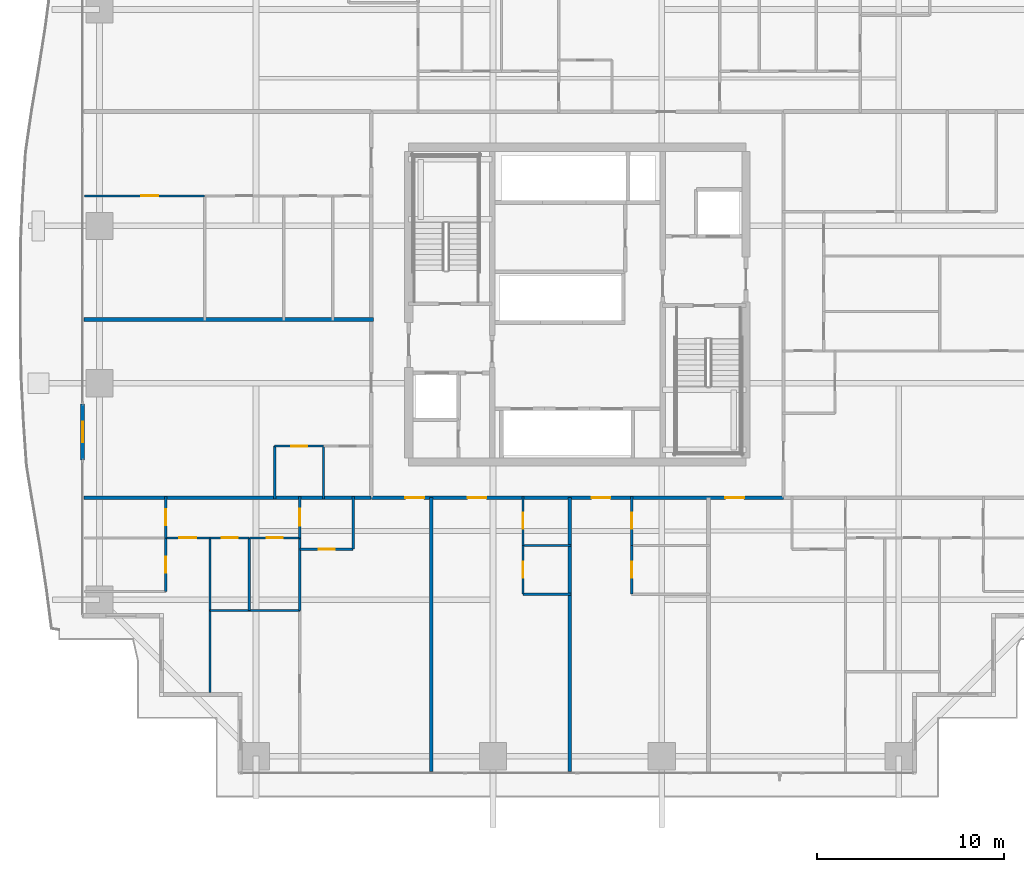
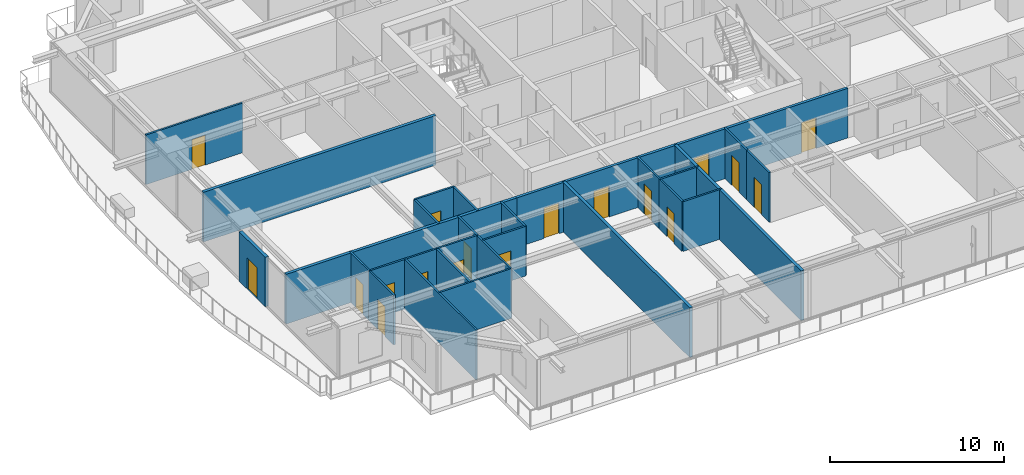
# One storey, part 23 of 36: 28 walls, 18 doors, 18 openings.
"""IFC4 building model written with IfcOpenShell, lengths in metres."""

from ifc_helpers import new_model, si_unit, direction, frame, frame_2d, origin, place, context, subcontext, project, spatial, rectangle, extrude, source, transform, mapped, material, layer, layer_set, type_object, element, fill, save


model = new_model("IFC4")

# Units and contexts
model_context = context("Model", 3, precision=1e-05, world=origin(), true_north=direction((0.0, 1.0)))
body_context = subcontext(model_context, "Body", "Model", "MODEL_VIEW")
ifc_project = project(units=[si_unit("LENGTHUNIT", "METRE"), si_unit("AREAUNIT", "SQUARE_METRE"), si_unit("VOLUMEUNIT", "CUBIC_METRE"), si_unit("PLANEANGLEUNIT", "RADIAN"), si_unit("MASSUNIT", "GRAM", prefix="KILO")], contexts=[model_context])

# Site, building, storey
site_placement = place(None, origin())
site = spatial("IfcSite", under=ifc_project, at=site_placement, CompositionType="ELEMENT")
building_placement = place(site_placement, origin())
building = spatial("IfcBuilding", under=site, at=building_placement, Name="Serunith Strait Residences", CompositionType="ELEMENT")
storey_placement = place(building_placement, frame((0.0, 0.0, 86.699951171875)))
storey = spatial("IfcBuildingStorey", under=building, at=storey_placement, Name="L21", CompositionType="ELEMENT", Elevation=86.699951171875)

# Wall, opening, door
ifc_material_1 = material(Name="Pale-Champagne Aluminium Insulated Panel", Category="aluminium")
ifc_layer_1 = layer(ifc_material_1, 0.219970703125, Name="Pale-Champagne Aluminium Insulated Panel")
ifc_layer_set_1 = layer_set([ifc_layer_1], Name="Pale-Champagne Aluminium Insulated Panel")
wall_type_1 = type_object("IfcWallType", Name="EW-ALUM-220", PredefinedType="ELEMENTEDWALL", material=ifc_layer_set_1)
wall_1_placement = place(storey_placement, frame((6.0, 19.89990234375, 0.0), z_axis=(0.0, 0.0, 1.0), x_axis=(0.0, -1.0, 0.0)))
wall_1 = element("IfcWall", 1, at=wall_1_placement, inside=storey, type_object=wall_type_1, Name="L21 W Facade Pier Wall", PredefinedType="ELEMENTEDWALL", context=body_context, shape_type="SweptSolid", body=[
    extrude(rectangle(XDim=3.0, YDim=0.219970703125, at=frame_2d((1.5, 0.0))), origin(), (0.0, 0.0, 1.0), 3.47509765625),
])
opening_1_placement = place(wall_1_placement, frame((0.949951171875, 0.0, 0.0)))
opening_1 = element("IfcOpeningElement", 2, at=opening_1_placement, cuts=wall_1, Name="Opening ED-03", PredefinedType="OPENING", context=body_context, shape_type="SweptSolid", body=[
    extrude(rectangle(XDim=1.10009765625, YDim=2.199951171875, at=frame_2d((0.550048828125, 1.10009765625))), frame((0.0, 0.1201171875, 0.0), z_axis=(0.0, -1.0, 0.0), x_axis=(1.0, 0.0, 0.0)), (0.0, 0.0, 1.0), 0.239990234375),
])
ifc_material_2 = material(Name="Thermally-Broken Aluminium Glazed Balcony Door", Category="aluminium")
door_type_1 = type_object("IfcDoorType", Name="ED-BALC-1100", OperationType="NOTDEFINED", PredefinedType="DOOR", material=ifc_material_2)
shared_shape_1 = source(origin(), body_context, "Body", "SweptSolid", [
    extrude(rectangle(XDim=1.10009765625, YDim=2.199951171875, at=frame_2d((0.550048828125, 1.10009765625))), frame((0.0, 0.02490234375, 0.0), z_axis=(0.0, -1.0, 0.0), x_axis=(1.0, 0.0, 0.0)), (0.0, 0.0, 1.0), 0.050048828125),
])
door_1_placement = place(opening_1_placement, origin())
door_1 = element("IfcDoor", 3, at=door_1_placement, inside=storey, type_object=door_type_1, Name="L21 W Vertical-Forest Balcony Door", OperationType="SINGLE_SWING_LEFT", OverallHeight=2.199951171875, OverallWidth=1.10009765625, PredefinedType="DOOR", context=body_context, shape_type="MappedRepresentation", body=[
    mapped(shared_shape_1, transform((0.0, 0.0, 0.0), scale=1.0)),
])
fill(opening_1, door_1)

# Wall, openings, doors
ifc_material_3 = material(Name="Fire-rated acoustic gypsum partition")
ifc_layer_2 = layer(ifc_material_3, 0.179931640625, Name="Fire-rated acoustic gypsum partition")
ifc_layer_set_2 = layer_set([ifc_layer_2], Name="Fire-rated acoustic gypsum partition")
wall_type_2 = type_object("IfcWallType", Name="IW-CORR-180", PredefinedType="PARTITIONING", material=ifc_layer_set_2)
wall_2_placement = place(storey_placement, frame((21.402099609375, 14.89990234375, 0.0), z_axis=(0.0, 0.0, 1.0), x_axis=(1.0, 0.0, 0.0)))
wall_2 = element("IfcWall", 4, at=wall_2_placement, inside=storey, type_object=wall_type_2, Name="L21 Partition Wall 022", PredefinedType="PARTITIONING", context=body_context, shape_type="SweptSolid", body=[
    extrude(rectangle(XDim=21.995849609375, YDim=0.179931640625, at=frame_2d((10.998046875, 0.0))), origin(), (0.0, 0.0, 1.0), 3.489990234375),
])
opening_2_placement = place(wall_2_placement, frame((1.820068359375, 0.0, 0.0)))
opening_2 = element("IfcOpeningElement", 5, at=opening_2_placement, cuts=wall_2, Name="Opening D-APT1000", PredefinedType="OPENING", context=body_context, shape_type="SweptSolid", body=[
    extrude(rectangle(XDim=1.0, YDim=2.14990234375, at=frame_2d((0.5, 1.074951171875))), frame((0.0, 0.10009765625, 0.0), z_axis=(0.0, -1.0, 0.0), x_axis=(1.0, 0.0, 0.0)), (0.0, 0.0, 1.0), 0.199951171875),
])
opening_3_placement = place(wall_2_placement, frame((5.14404296875, 0.0, 0.0)))
opening_3 = element("IfcOpeningElement", 6, at=opening_3_placement, cuts=wall_2, Name="Opening D-APT1000", PredefinedType="OPENING", context=body_context, shape_type="SweptSolid", body=[
    extrude(rectangle(XDim=1.0, YDim=2.14990234375, at=frame_2d((0.5, 1.074951171875))), frame((0.0, 0.10009765625, 0.0), z_axis=(0.0, -1.0, 0.0), x_axis=(1.0, 0.0, 0.0)), (0.0, 0.0, 1.0), 0.199951171875),
])
opening_4_placement = place(wall_2_placement, frame((11.758056640625, 0.0, 0.0)))
opening_4 = element("IfcOpeningElement", 7, at=opening_4_placement, cuts=wall_2, Name="Opening D-APT1000", PredefinedType="OPENING", context=body_context, shape_type="SweptSolid", body=[
    extrude(rectangle(XDim=1.0, YDim=2.14990234375, at=frame_2d((0.5, 1.074951171875))), frame((0.0, 0.10009765625, 0.0), z_axis=(0.0, -1.0, 0.0), x_axis=(1.0, 0.0, 0.0)), (0.0, 0.0, 1.0), 0.199951171875),
])
opening_5_placement = place(wall_2_placement, frame((18.89599609375, 0.0, 0.0)))
opening_5 = element("IfcOpeningElement", 8, at=opening_5_placement, cuts=wall_2, Name="Opening D-APT1000", PredefinedType="OPENING", context=body_context, shape_type="SweptSolid", body=[
    extrude(rectangle(XDim=1.0, YDim=2.14990234375, at=frame_2d((0.5, 1.074951171875))), frame((0.0, 0.10009765625, 0.0), z_axis=(0.0, -1.0, 0.0), x_axis=(1.0, 0.0, 0.0)), (0.0, 0.0, 1.0), 0.199951171875),
])
ifc_material_4 = material(Name="Solid timber engineered fire door", Category="wood")
door_type_2 = type_object("IfcDoorType", Name="ID-APT-1000", OperationType="NOTDEFINED", PredefinedType="DOOR", material=ifc_material_4)
shared_shape_2 = source(origin(), body_context, "Body", "SweptSolid", [
    extrude(rectangle(XDim=1.0, YDim=2.14990234375, at=frame_2d((0.5, 1.074951171875))), frame((0.0, 0.02490234375, 0.0), z_axis=(0.0, -1.0, 0.0), x_axis=(1.0, 0.0, 0.0)), (0.0, 0.0, 1.0), 0.050048828125),
])
door_2_placement = place(opening_2_placement, origin())
door_2 = element("IfcDoor", 9, at=door_2_placement, inside=storey, type_object=door_type_2, Name="L21 Unit 01 Entrance Door", OperationType="SINGLE_SWING_LEFT", OverallHeight=2.14990234375, OverallWidth=1.0, PredefinedType="DOOR", context=body_context, shape_type="MappedRepresentation", body=[
    mapped(shared_shape_2, transform((0.0, 0.0, 0.0), scale=1.0)),
])
fill(opening_2, door_2)
door_3_placement = place(opening_3_placement, origin())
door_3 = element("IfcDoor", 10, at=door_3_placement, inside=storey, type_object=door_type_2, Name="L21 Unit 02 Entrance Door", OperationType="SINGLE_SWING_RIGHT", OverallHeight=2.14990234375, OverallWidth=1.0, PredefinedType="DOOR", context=body_context, shape_type="MappedRepresentation", body=[
    mapped(shared_shape_2, transform((0.0, 0.0, 0.0), scale=1.0)),
])
fill(opening_3, door_3)
door_4_placement = place(opening_4_placement, origin())
door_4 = element("IfcDoor", 11, at=door_4_placement, inside=storey, type_object=door_type_2, Name="L21 Unit 03 Entrance Door", OperationType="SINGLE_SWING_LEFT", OverallHeight=2.14990234375, OverallWidth=1.0, PredefinedType="DOOR", context=body_context, shape_type="MappedRepresentation", body=[
    mapped(shared_shape_2, transform((0.0, 0.0, 0.0), scale=1.0)),
])
fill(opening_4, door_4)
door_5_placement = place(opening_5_placement, origin())
door_5 = element("IfcDoor", 12, at=door_5_placement, inside=storey, type_object=door_type_2, Name="L21 Unit 04 Entrance Door", OperationType="SINGLE_SWING_RIGHT", OverallHeight=2.14990234375, OverallWidth=1.0, PredefinedType="DOOR", context=body_context, shape_type="MappedRepresentation", body=[
    mapped(shared_shape_2, transform((0.0, 0.0, 0.0), scale=1.0)),
])
fill(opening_5, door_5)

# Wall, opening, door
ifc_material_5 = material(Name="Lightweight steel-stud gypsum partition", Category="steel")
ifc_layer_3 = layer(ifc_material_5, 0.1201171875, Name="Lightweight steel-stud gypsum partition")
ifc_layer_set_3 = layer_set([ifc_layer_3], Name="Lightweight steel-stud gypsum partition")
wall_type_3 = type_object("IfcWallType", Name="IW-PART-120", PredefinedType="PARTITIONING", material=ifc_layer_set_3)
wall_3_placement = place(storey_placement, frame((17.590087890625, 12.14990234375, 0.0), z_axis=(0.0, 0.0, 1.0), x_axis=(1.0, 0.0, 0.0)))
wall_3 = element("IfcWall", 13, at=wall_3_placement, inside=storey, type_object=wall_type_3, Name="L21 Partition Wall 026", PredefinedType="PARTITIONING", context=body_context, shape_type="SweptSolid", body=[
    extrude(rectangle(XDim=2.849853515625, YDim=0.1201171875, at=frame_2d((1.4248046875, 0.0))), origin(), (0.0, 0.0, 1.0), 3.489990234375),
])
opening_6_placement = place(wall_3_placement, frame((1.0, 0.0, 0.0)))
opening_6 = element("IfcOpeningElement", 14, at=opening_6_placement, cuts=wall_3, Name="Opening D-RM850", PredefinedType="OPENING", context=body_context, shape_type="SweptSolid", body=[
    extrude(rectangle(XDim=0.85009765625, YDim=2.10009765625, at=frame_2d((0.425048828125, 1.050048828125))), frame((0.0, 0.070068359375, 0.0), z_axis=(0.0, -1.0, 0.0), x_axis=(1.0, 0.0, 0.0)), (0.0, 0.0, 1.0), 0.14013671875),
])
ifc_material_6 = material(Name="Engineered timber flush study and kitchen door", Category="wood")
door_type_3 = type_object("IfcDoorType", Name="ID-ROOM-850", OperationType="NOTDEFINED", PredefinedType="DOOR", material=ifc_material_6)
shared_shape_3 = source(origin(), body_context, "Body", "SweptSolid", [
    extrude(rectangle(XDim=0.85009765625, YDim=2.10009765625, at=frame_2d((0.425048828125, 1.050048828125))), frame((0.0, 0.02490234375, 0.0), z_axis=(0.0, -1.0, 0.0), x_axis=(1.0, 0.0, 0.0)), (0.0, 0.0, 1.0), 0.050048828125),
])
door_6_placement = place(opening_6_placement, origin())
door_6 = element("IfcDoor", 15, at=door_6_placement, inside=storey, type_object=door_type_3, Name="L21 Kitchen 2101 Door", OperationType="SINGLE_SWING_LEFT", OverallHeight=2.10009765625, OverallWidth=0.85009765625, PredefinedType="DOOR", context=body_context, shape_type="MappedRepresentation", body=[
    mapped(shared_shape_3, transform((0.0, 0.0, 0.0), scale=1.0)),
])
fill(opening_6, door_6)

# Wall
wall_4_placement = place(storey_placement, frame((20.43994140625, 12.14990234375, 0.0), z_axis=(0.0, 0.0, 1.0), x_axis=(0.0, 1.0, 0.0)))
element("IfcWall", 16, at=wall_4_placement, inside=storey, type_object=wall_type_3, Name="L21 Partition Wall 027", PredefinedType="PARTITIONING", context=body_context, shape_type="SweptSolid", body=[
    extrude(rectangle(XDim=2.81005859375, YDim=0.1201171875, at=frame_2d((1.405029296875, 0.0))), origin(), (0.0, 0.0, 1.0), 3.489990234375),
])

# Wall, opening, door
wall_5_placement = place(storey_placement, frame((17.590087890625, 12.75, 0.0), z_axis=(0.0, 0.0, 1.0), x_axis=(0.0, 1.0, 0.0)))
wall_5 = element("IfcWall", 17, at=wall_5_placement, inside=storey, type_object=wall_type_3, Name="L21 Partition Wall 028", PredefinedType="PARTITIONING", context=body_context, shape_type="SweptSolid", body=[
    extrude(rectangle(XDim=2.2099609375, YDim=0.1201171875, at=frame_2d((1.10498046875, 0.0))), origin(), (0.0, 0.0, 1.0), 3.489990234375),
])
opening_7_placement = place(wall_5_placement, frame((0.655029296875, 0.0, 0.0)))
opening_7 = element("IfcOpeningElement", 18, at=opening_7_placement, cuts=wall_5, Name="Opening D-RM900", PredefinedType="OPENING", context=body_context, shape_type="SweptSolid", body=[
    extrude(rectangle(XDim=0.89990234375, YDim=2.10009765625, at=frame_2d((0.449951171875, 1.050048828125))), frame((0.0, 0.070068359375, 0.0), z_axis=(0.0, -1.0, 0.0), x_axis=(1.0, 0.0, 0.0)), (0.0, 0.0, 1.0), 0.14013671875),
])
ifc_material_7 = material(Name="Engineered timber flush bedroom door", Category="wood")
door_type_4 = type_object("IfcDoorType", Name="ID-ROOM-900", OperationType="NOTDEFINED", PredefinedType="DOOR", material=ifc_material_7)
shared_shape_4 = source(origin(), body_context, "Body", "SweptSolid", [
    extrude(rectangle(XDim=0.89990234375, YDim=2.10009765625, at=frame_2d((0.449951171875, 1.050048828125))), frame((0.0, 0.02490234375, 0.0), z_axis=(0.0, -1.0, 0.0), x_axis=(1.0, 0.0, 0.0)), (0.0, 0.0, 1.0), 0.050048828125),
])
door_7_placement = place(opening_7_placement, origin())
door_7 = element("IfcDoor", 19, at=door_7_placement, inside=storey, type_object=door_type_4, Name="L21 Hall W 2101 Door", OperationType="SINGLE_SWING_RIGHT", OverallHeight=2.10009765625, OverallWidth=0.89990234375, PredefinedType="DOOR", context=body_context, shape_type="MappedRepresentation", body=[
    mapped(shared_shape_4, transform((0.0, 0.0, 0.0), scale=1.0)),
])
fill(opening_7, door_7)

# Walls
wall_6_placement = place(storey_placement, frame((17.590087890625, 8.883056640625, 0.0), z_axis=(0.0, 0.0, 1.0), x_axis=(0.0, 1.0, 0.0)))
element("IfcWall", 20, at=wall_6_placement, inside=storey, type_object=wall_type_3, Name="L21 Partition Wall 030", PredefinedType="PARTITIONING", context=body_context, shape_type="SweptSolid", body=[
    extrude(rectangle(XDim=3.864990234375, YDim=0.1201171875, at=frame_2d((1.9326171875, 0.0))), origin(), (0.0, 0.0, 1.0), 3.489990234375),
])
wall_7_placement = place(storey_placement, frame((12.7900390625, 8.881103515625, 0.0), z_axis=(0.0, 0.0, 1.0), x_axis=(1.0, 0.0, 0.0)))
element("IfcWall", 21, at=wall_7_placement, inside=storey, type_object=wall_type_3, Name="L21 Partition Wall 031", PredefinedType="PARTITIONING", context=body_context, shape_type="SweptSolid", body=[
    extrude(rectangle(XDim=4.800048828125, YDim=0.1201171875, at=frame_2d((2.39990234375, 0.0))), origin(), (0.0, 0.0, 1.0), 3.489990234375),
])
wall_8_placement = place(storey_placement, frame((12.7900390625, 4.4951171875, 0.0), z_axis=(0.0, 0.0, 1.0), x_axis=(0.0, 1.0, 0.0)))
element("IfcWall", 22, at=wall_8_placement, inside=storey, type_object=wall_type_3, Name="L21 Partition Wall 032", PredefinedType="PARTITIONING", context=body_context, shape_type="SweptSolid", body=[
    extrude(rectangle(XDim=8.2548828125, YDim=0.1201171875, at=frame_2d((4.12744140625, 0.0))), origin(), (0.0, 0.0, 1.0), 3.489990234375),
])
wall_9_placement = place(storey_placement, frame((14.889892578125, 8.881103515625, 0.0), z_axis=(0.0, 0.0, 1.0), x_axis=(0.0, 1.0, 0.0)))
element("IfcWall", 23, at=wall_9_placement, inside=storey, type_object=wall_type_3, Name="L21 Partition Wall 033", PredefinedType="PARTITIONING", context=body_context, shape_type="SweptSolid", body=[
    extrude(rectangle(XDim=3.868896484375, YDim=0.1201171875, at=frame_2d((1.9345703125, 0.0))), origin(), (0.0, 0.0, 1.0), 3.489990234375),
])

# Wall, opening, door
wall_10_placement = place(storey_placement, frame((12.7900390625, 12.75, 0.0), z_axis=(0.0, 0.0, 1.0), x_axis=(1.0, 0.0, 0.0)))
wall_10 = element("IfcWall", 24, at=wall_10_placement, inside=storey, type_object=wall_type_3, Name="L21 Partition Wall 034", PredefinedType="PARTITIONING", context=body_context, shape_type="SweptSolid", body=[
    extrude(rectangle(XDim=2.099853515625, YDim=0.1201171875, at=frame_2d((1.0498046875, 0.0))), origin(), (0.0, 0.0, 1.0), 3.489990234375),
])
opening_8_placement = place(wall_10_placement, frame((0.625, 0.0, 0.0)))
opening_8 = element("IfcOpeningElement", 25, at=opening_8_placement, cuts=wall_10, Name="Opening D-BTH850", PredefinedType="OPENING", context=body_context, shape_type="SweptSolid", body=[
    extrude(rectangle(XDim=0.85009765625, YDim=2.10009765625, at=frame_2d((0.425048828125, 1.050048828125))), frame((0.0, 0.070068359375, 0.0), z_axis=(0.0, -1.0, 0.0), x_axis=(1.0, 0.0, 0.0)), (0.0, 0.0, 1.0), 0.14013671875),
])
ifc_material_8 = material(Name="Moisture-resistant timber bathroom door", Category="wood")
door_type_5 = type_object("IfcDoorType", Name="ID-BATH-850", OperationType="NOTDEFINED", PredefinedType="DOOR", material=ifc_material_8)
door_8_placement = place(opening_8_placement, origin())
door_8 = element("IfcDoor", 26, at=door_8_placement, inside=storey, type_object=door_type_5, Name="L21 Bathroom 2101 Door", OperationType="SINGLE_SWING_RIGHT", OverallHeight=2.10009765625, OverallWidth=0.85009765625, PredefinedType="DOOR", context=body_context, shape_type="MappedRepresentation", body=[
    mapped(shared_shape_3, transform((0.0, 0.0, 0.0), scale=1.0)),
])
fill(opening_8, door_8)

wall_11_placement = place(storey_placement, frame((14.89208984375, 12.75, 0.0), z_axis=(0.0, 0.0, 1.0), x_axis=(1.0, 0.0, 0.0)))
wall_11 = element("IfcWall", 27, at=wall_11_placement, inside=storey, type_object=wall_type_3, Name="L21 Partition Wall 035", PredefinedType="PARTITIONING", context=body_context, shape_type="SweptSolid", body=[
    extrude(rectangle(XDim=2.697998046875, YDim=0.1201171875, at=frame_2d((1.34912109375, 0.0))), origin(), (0.0, 0.0, 1.0), 3.489990234375),
])
opening_9_placement = place(wall_11_placement, frame((0.924072265625, 0.0, 0.0)))
opening_9 = element("IfcOpeningElement", 28, at=opening_9_placement, cuts=wall_11, Name="Opening D-RM850", PredefinedType="OPENING", context=body_context, shape_type="SweptSolid", body=[
    extrude(rectangle(XDim=0.85009765625, YDim=2.10009765625, at=frame_2d((0.425048828125, 1.050048828125))), frame((0.0, 0.070068359375, 0.0), z_axis=(0.0, -1.0, 0.0), x_axis=(1.0, 0.0, 0.0)), (0.0, 0.0, 1.0), 0.14013671875),
])
door_9_placement = place(opening_9_placement, origin())
door_9 = element("IfcDoor", 29, at=door_9_placement, inside=storey, type_object=door_type_3, Name="L21 Formal Dining Room 2101 Door", OperationType="SINGLE_SWING_LEFT", OverallHeight=2.10009765625, OverallWidth=0.85009765625, PredefinedType="DOOR", context=body_context, shape_type="MappedRepresentation", body=[
    mapped(shared_shape_3, transform((0.0, 0.0, 0.0), scale=1.0)),
])
fill(opening_9, door_9)

wall_12_placement = place(storey_placement, frame((10.43994140625, 12.75, 0.0), z_axis=(0.0, 0.0, 1.0), x_axis=(1.0, 0.0, 0.0)))
wall_12 = element("IfcWall", 30, at=wall_12_placement, inside=storey, type_object=wall_type_3, Name="L21 Partition Wall 036", PredefinedType="PARTITIONING", context=body_context, shape_type="SweptSolid", body=[
    extrude(rectangle(XDim=2.34814453125, YDim=0.1201171875, at=frame_2d((1.174072265625, 0.0))), origin(), (0.0, 0.0, 1.0), 3.489990234375),
])
opening_10_placement = place(wall_12_placement, frame((0.72412109375, 0.0, 0.0)))
opening_10 = element("IfcOpeningElement", 31, at=opening_10_placement, cuts=wall_12, Name="Opening D-RM900", PredefinedType="OPENING", context=body_context, shape_type="SweptSolid", body=[
    extrude(rectangle(XDim=0.89990234375, YDim=2.10009765625, at=frame_2d((0.449951171875, 1.050048828125))), frame((0.0, 0.070068359375, 0.0), z_axis=(0.0, -1.0, 0.0), x_axis=(1.0, 0.0, 0.0)), (0.0, 0.0, 1.0), 0.14013671875),
])
door_10_placement = place(opening_10_placement, origin())
door_10 = element("IfcDoor", 32, at=door_10_placement, inside=storey, type_object=door_type_4, Name="L21 Master Bedroom W 2101 Door", OperationType="SINGLE_SWING_RIGHT", OverallHeight=2.10009765625, OverallWidth=0.89990234375, PredefinedType="DOOR", context=body_context, shape_type="MappedRepresentation", body=[
    mapped(shared_shape_4, transform((0.0, 0.0, 0.0), scale=1.0)),
])
fill(opening_10, door_10)

wall_13_placement = place(storey_placement, frame((10.43994140625, 9.89404296875, 0.0), z_axis=(0.0, 0.0, 1.0), x_axis=(0.0, 1.0, 0.0)))
wall_13 = element("IfcWall", 33, at=wall_13_placement, inside=storey, type_object=wall_type_3, Name="L21 Partition Wall 039", PredefinedType="PARTITIONING", context=body_context, shape_type="SweptSolid", body=[
    extrude(rectangle(XDim=2.85595703125, YDim=0.1201171875, at=frame_2d((1.427978515625, 0.0))), origin(), (0.0, 0.0, 1.0), 3.489990234375),
])
opening_11_placement = place(wall_13_placement, frame((1.0029296875, 0.0, 0.0)))
opening_11 = element("IfcOpeningElement", 34, at=opening_11_placement, cuts=wall_13, Name="Opening D-BTH850", PredefinedType="OPENING", context=body_context, shape_type="SweptSolid", body=[
    extrude(rectangle(XDim=0.85009765625, YDim=2.10009765625, at=frame_2d((0.425048828125, 1.050048828125))), frame((0.0, 0.070068359375, 0.0), z_axis=(0.0, -1.0, 0.0), x_axis=(1.0, 0.0, 0.0)), (0.0, 0.0, 1.0), 0.14013671875),
])
door_11_placement = place(opening_11_placement, origin())
door_11 = element("IfcDoor", 35, at=door_11_placement, inside=storey, type_object=door_type_5, Name="L21 En-suite Bathroom W 2101 Door", OperationType="SINGLE_SWING_LEFT", OverallHeight=2.10009765625, OverallWidth=0.85009765625, PredefinedType="DOOR", context=body_context, shape_type="MappedRepresentation", body=[
    mapped(shared_shape_3, transform((0.0, 0.0, 0.0), scale=1.0)),
])
fill(opening_11, door_11)

wall_14_placement = place(storey_placement, frame((10.43994140625, 12.751953125, 0.0), z_axis=(0.0, 0.0, 1.0), x_axis=(0.0, 1.0, 0.0)))
wall_14 = element("IfcWall", 36, at=wall_14_placement, inside=storey, type_object=wall_type_3, Name="L21 Partition Wall 040", PredefinedType="PARTITIONING", context=body_context, shape_type="SweptSolid", body=[
    extrude(rectangle(XDim=2.2080078125, YDim=0.1201171875, at=frame_2d((1.10400390625, 0.0))), origin(), (0.0, 0.0, 1.0), 3.489990234375),
])
opening_12_placement = place(wall_14_placement, frame((0.678955078125, 0.0, 0.0)))
opening_12 = element("IfcOpeningElement", 37, at=opening_12_placement, cuts=wall_14, Name="Opening D-RM850", PredefinedType="OPENING", context=body_context, shape_type="SweptSolid", body=[
    extrude(rectangle(XDim=0.85009765625, YDim=2.10009765625, at=frame_2d((0.425048828125, 1.050048828125))), frame((0.0, 0.070068359375, 0.0), z_axis=(0.0, -1.0, 0.0), x_axis=(1.0, 0.0, 0.0)), (0.0, 0.0, 1.0), 0.14013671875),
])
door_12_placement = place(opening_12_placement, origin())
door_12 = element("IfcDoor", 38, at=door_12_placement, inside=storey, type_object=door_type_3, Name="L21 Wardrobe W 2101 Door", OperationType="SINGLE_SWING_RIGHT", OverallHeight=2.10009765625, OverallWidth=0.85009765625, PredefinedType="DOOR", context=body_context, shape_type="MappedRepresentation", body=[
    mapped(shared_shape_3, transform((0.0, 0.0, 0.0), scale=1.0)),
])
fill(opening_12, door_12)

wall_15_placement = place(storey_placement, frame((29.5, 9.75, 0.0), z_axis=(0.0, 0.0, 1.0), x_axis=(0.0, 1.0, 0.0)))
wall_15 = element("IfcWall", 39, at=wall_15_placement, inside=storey, type_object=wall_type_3, Name="L21 Partition Wall 041", PredefinedType="PARTITIONING", context=body_context, shape_type="SweptSolid", body=[
    extrude(rectangle(XDim=2.60009765625, YDim=0.1201171875, at=frame_2d((1.300048828125, 0.0))), origin(), (0.0, 0.0, 1.0), 3.489990234375),
])
opening_13_placement = place(wall_15_placement, frame((0.875, 0.0, 0.0)))
opening_13 = element("IfcOpeningElement", 40, at=opening_13_placement, cuts=wall_15, Name="Opening D-RM850", PredefinedType="OPENING", context=body_context, shape_type="SweptSolid", body=[
    extrude(rectangle(XDim=0.85009765625, YDim=2.10009765625, at=frame_2d((0.425048828125, 1.050048828125))), frame((0.0, 0.070068359375, 0.0), z_axis=(0.0, -1.0, 0.0), x_axis=(1.0, 0.0, 0.0)), (0.0, 0.0, 1.0), 0.14013671875),
])
door_13_placement = place(opening_13_placement, origin())
door_13 = element("IfcDoor", 41, at=door_13_placement, inside=storey, type_object=door_type_3, Name="L21 Kitchen 2102 Door", OperationType="SINGLE_SWING_LEFT", OverallHeight=2.10009765625, OverallWidth=0.85009765625, PredefinedType="DOOR", context=body_context, shape_type="MappedRepresentation", body=[
    mapped(shared_shape_3, transform((0.0, 0.0, 0.0), scale=1.0)),
])
fill(opening_13, door_13)

wall_16_placement = place(storey_placement, frame((29.5, 12.35205078125, 0.0), z_axis=(0.0, 0.0, 1.0), x_axis=(0.0, 1.0, 0.0)))
wall_16 = element("IfcWall", 42, at=wall_16_placement, inside=storey, type_object=wall_type_3, Name="L21 Partition Wall 042", PredefinedType="PARTITIONING", context=body_context, shape_type="SweptSolid", body=[
    extrude(rectangle(XDim=2.60791015625, YDim=0.1201171875, at=frame_2d((1.303955078125, 0.0))), origin(), (0.0, 0.0, 1.0), 3.489990234375),
])
opening_14_placement = place(wall_16_placement, frame((0.87890625, 0.0, 0.0)))
opening_14 = element("IfcOpeningElement", 43, at=opening_14_placement, cuts=wall_16, Name="Opening D-BTH850", PredefinedType="OPENING", context=body_context, shape_type="SweptSolid", body=[
    extrude(rectangle(XDim=0.85009765625, YDim=2.10009765625, at=frame_2d((0.425048828125, 1.050048828125))), frame((0.0, 0.070068359375, 0.0), z_axis=(0.0, -1.0, 0.0), x_axis=(1.0, 0.0, 0.0)), (0.0, 0.0, 1.0), 0.14013671875),
])
door_14_placement = place(opening_14_placement, origin())
door_14 = element("IfcDoor", 44, at=door_14_placement, inside=storey, type_object=door_type_5, Name="L21 Bathroom 2102 Door", OperationType="SINGLE_SWING_RIGHT", OverallHeight=2.10009765625, OverallWidth=0.85009765625, PredefinedType="DOOR", context=body_context, shape_type="MappedRepresentation", body=[
    mapped(shared_shape_3, transform((0.0, 0.0, 0.0), scale=1.0)),
])
fill(opening_14, door_14)

# Walls
for number, where, z_axis, x_axis, name in (
    (45, (29.5, 12.35009765625, 0.0), (0.0, 0.0, 1.0), (1.0, 0.0, 0.0), "L21 Partition Wall 043"),
    (46, (29.5, 9.75, 0.0), (0.0, 0.0, 1.0), (1.0, 0.0, 0.0), "L21 Partition Wall 044"),
):
    element("IfcWall", number, at=place(storey_placement, frame(where, z_axis=z_axis, x_axis=x_axis)), inside=storey, type_object=wall_type_3, Name=name, PredefinedType="PARTITIONING", context=body_context, shape_type="SweptSolid", body=[
        extrude(rectangle(XDim=2.56005859375, YDim=0.1201171875, at=frame_2d((1.280029296875, 0.0))), origin(), (0.0, 0.0, 1.0), 3.489990234375),
    ])

# Wall, opening, door
wall_17_placement = place(storey_placement, frame((35.300048828125, 9.75, 0.0), z_axis=(0.0, 0.0, 1.0), x_axis=(0.0, 1.0, 0.0)))
wall_17 = element("IfcWall", 47, at=wall_17_placement, inside=storey, type_object=wall_type_3, Name="L21 Partition Wall 045", PredefinedType="PARTITIONING", context=body_context, shape_type="SweptSolid", body=[
    extrude(rectangle(XDim=2.60009765625, YDim=0.1201171875, at=frame_2d((1.300048828125, 0.0))), origin(), (0.0, 0.0, 1.0), 3.489990234375),
])
opening_15_placement = place(wall_17_placement, frame((0.875, 0.0, 0.0)))
opening_15 = element("IfcOpeningElement", 48, at=opening_15_placement, cuts=wall_17, Name="Opening D-RM850", PredefinedType="OPENING", context=body_context, shape_type="SweptSolid", body=[
    extrude(rectangle(XDim=0.85009765625, YDim=2.10009765625, at=frame_2d((0.425048828125, 1.050048828125))), frame((0.0, 0.070068359375, 0.0), z_axis=(0.0, -1.0, 0.0), x_axis=(1.0, 0.0, 0.0)), (0.0, 0.0, 1.0), 0.14013671875),
])
door_15_placement = place(opening_15_placement, origin())
door_15 = element("IfcDoor", 49, at=door_15_placement, inside=storey, type_object=door_type_3, Name="L21 Kitchen 2103 Door", OperationType="SINGLE_SWING_LEFT", OverallHeight=2.10009765625, OverallWidth=0.85009765625, PredefinedType="DOOR", context=body_context, shape_type="MappedRepresentation", body=[
    mapped(shared_shape_3, transform((0.0, 0.0, 0.0), scale=1.0)),
])
fill(opening_15, door_15)

wall_18_placement = place(storey_placement, frame((35.300048828125, 12.35205078125, 0.0), z_axis=(0.0, 0.0, 1.0), x_axis=(0.0, 1.0, 0.0)))
wall_18 = element("IfcWall", 50, at=wall_18_placement, inside=storey, type_object=wall_type_3, Name="L21 Partition Wall 046", PredefinedType="PARTITIONING", context=body_context, shape_type="SweptSolid", body=[
    extrude(rectangle(XDim=2.60791015625, YDim=0.1201171875, at=frame_2d((1.303955078125, 0.0))), origin(), (0.0, 0.0, 1.0), 3.489990234375),
])
opening_16_placement = place(wall_18_placement, frame((0.87890625, 0.0, 0.0)))
opening_16 = element("IfcOpeningElement", 51, at=opening_16_placement, cuts=wall_18, Name="Opening D-BTH850", PredefinedType="OPENING", context=body_context, shape_type="SweptSolid", body=[
    extrude(rectangle(XDim=0.85009765625, YDim=2.10009765625, at=frame_2d((0.425048828125, 1.050048828125))), frame((0.0, 0.070068359375, 0.0), z_axis=(0.0, -1.0, 0.0), x_axis=(1.0, 0.0, 0.0)), (0.0, 0.0, 1.0), 0.14013671875),
])
door_16_placement = place(opening_16_placement, origin())
door_16 = element("IfcDoor", 52, at=door_16_placement, inside=storey, type_object=door_type_5, Name="L21 Bathroom 2103 Door", OperationType="SINGLE_SWING_RIGHT", OverallHeight=2.10009765625, OverallWidth=0.85009765625, PredefinedType="DOOR", context=body_context, shape_type="MappedRepresentation", body=[
    mapped(shared_shape_3, transform((0.0, 0.0, 0.0), scale=1.0)),
])
fill(opening_16, door_16)

wall_19_placement = place(storey_placement, frame((16.25, 17.64990234375, 0.0), z_axis=(0.0, 0.0, 1.0), x_axis=(1.0, 0.0, 0.0)))
wall_19 = element("IfcWall", 53, at=wall_19_placement, inside=storey, type_object=wall_type_3, Name="L21 Partition Wall 096", PredefinedType="PARTITIONING", context=body_context, shape_type="SweptSolid", body=[
    extrude(rectangle(XDim=2.60009765625, YDim=0.1201171875, at=frame_2d((1.300048828125, 0.0))), origin(), (0.0, 0.0, 1.0), 3.489990234375),
])
opening_17_placement = place(wall_19_placement, frame((0.875, 0.0, 0.0)))
opening_17 = element("IfcOpeningElement", 54, at=opening_17_placement, cuts=wall_19, Name="Opening D-RM850", PredefinedType="OPENING", context=body_context, shape_type="SweptSolid", body=[
    extrude(rectangle(XDim=0.85009765625, YDim=2.10009765625, at=frame_2d((0.425048828125, 1.050048828125))), frame((0.0, 0.070068359375, 0.0), z_axis=(0.0, -1.0, 0.0), x_axis=(1.0, 0.0, 0.0)), (0.0, 0.0, 1.0), 0.14013671875),
])
door_17_placement = place(opening_17_placement, origin())
door_17 = element("IfcDoor", 55, at=door_17_placement, inside=storey, type_object=door_type_3, Name="L21 Kitchen 2106 Door", OperationType="SINGLE_SWING_RIGHT", OverallHeight=2.10009765625, OverallWidth=0.85009765625, PredefinedType="DOOR", context=body_context, shape_type="MappedRepresentation", body=[
    mapped(shared_shape_3, transform((0.0, 0.0, 0.0), scale=1.0)),
])
fill(opening_17, door_17)

# Walls
for number, where, z_axis, x_axis, name in (
    (56, (18.85009765625, 14.840087890625, 0.0), (0.0, 0.0, 1.0), (0.0, 1.0, 0.0), "L21 Partition Wall 098"),
    (57, (16.25, 14.840087890625, 0.0), (0.0, 0.0, 1.0), (0.0, 1.0, 0.0), "L21 Partition Wall 099"),
):
    element("IfcWall", number, at=place(storey_placement, frame(where, z_axis=z_axis, x_axis=x_axis)), inside=storey, type_object=wall_type_3, Name=name, PredefinedType="PARTITIONING", context=body_context, shape_type="SweptSolid", body=[
        extrude(rectangle(XDim=2.809814453125, YDim=0.1201171875, at=frame_2d((1.40478515625, 0.0))), origin(), (0.0, 0.0, 1.0), 3.489990234375),
    ])

# Wall, opening, door
wall_20_placement = place(storey_placement, frame((6.094970703125, 31.0, 0.0), z_axis=(0.0, 0.0, 1.0), x_axis=(1.0, 0.0, 0.0)))
wall_20 = element("IfcWall", 58, at=wall_20_placement, inside=storey, type_object=wall_type_3, Name="L21 Partition Wall 100", PredefinedType="PARTITIONING", context=body_context, shape_type="SweptSolid", body=[
    extrude(rectangle(XDim=6.4189453125, YDim=0.1201171875, at=frame_2d((3.20947265625, 0.0))), origin(), (0.0, 0.0, 1.0), 3.489990234375),
])
opening_18_placement = place(wall_20_placement, frame((3.034912109375, 0.0, 0.0)))
opening_18 = element("IfcOpeningElement", 59, at=opening_18_placement, cuts=wall_20, Name="Opening D-RM900", PredefinedType="OPENING", context=body_context, shape_type="SweptSolid", body=[
    extrude(rectangle(XDim=0.89990234375, YDim=2.10009765625, at=frame_2d((0.449951171875, 1.050048828125))), frame((0.0, 0.070068359375, 0.0), z_axis=(0.0, -1.0, 0.0), x_axis=(1.0, 0.0, 0.0)), (0.0, 0.0, 1.0), 0.14013671875),
])
door_18_placement = place(opening_18_placement, origin())
door_18 = element("IfcDoor", 60, at=door_18_placement, inside=storey, type_object=door_type_4, Name="L21 Master Bedroom 1 2107 Door", OperationType="SINGLE_SWING_RIGHT", OverallHeight=2.10009765625, OverallWidth=0.89990234375, PredefinedType="DOOR", context=body_context, shape_type="MappedRepresentation", body=[
    mapped(shared_shape_4, transform((0.0, 0.0, 0.0), scale=1.0)),
])
fill(opening_18, door_18)

# Walls
ifc_material_9 = material(Name="Twin-stud acoustic gypsum board partition")
ifc_layer_4 = layer(ifc_material_9, 0.199951171875, Name="Twin-stud acoustic gypsum board partition")
ifc_layer_set_4 = layer_set([ifc_layer_4], Name="Twin-stud acoustic gypsum board partition")
wall_type_4 = type_object("IfcWallType", Name="IW-PARTY-200", PredefinedType="PARTITIONING", material=ifc_layer_set_4)
for number, where, z_axis, x_axis, name in (
    (61, (24.60009765625, 0.281982421875, 0.0), (0.0, 0.0, 1.0), (0.0, 1.0, 0.0), "L21 Partition Wall 014"),
    (62, (32.0, 0.281982421875, 0.0), (0.0, 0.0, 1.0), (0.0, 1.0, 0.0), "L21 Partition Wall 015"),
):
    element("IfcWall", number, at=place(storey_placement, frame(where, z_axis=z_axis, x_axis=x_axis)), inside=storey, type_object=wall_type_4, Name=name, PredefinedType="PARTITIONING", context=body_context, shape_type="SweptSolid", body=[
        extrude(rectangle(XDim=14.617919921875, YDim=0.199951171875, at=frame_2d((7.30908203125, 0.0))), origin(), (0.0, 0.0, 1.0), 3.489990234375),
    ])
wall_21_placement = place(storey_placement, frame((6.08203125, 24.39990234375, 0.0), z_axis=(0.0, 0.0, 1.0), x_axis=(1.0, 0.0, 0.0)))
element("IfcWall", 63, at=wall_21_placement, inside=storey, type_object=wall_type_4, Name="L21 Partition Wall 017", PredefinedType="PARTITIONING", context=body_context, shape_type="SweptSolid", body=[
    extrude(rectangle(XDim=15.43798828125, YDim=0.199951171875, at=frame_2d((7.718994140625, 0.0))), origin(), (0.0, 0.0, 1.0), 3.489990234375),
])
wall_22_placement = place(storey_placement, frame((6.08203125, 14.89990234375, 0.0), z_axis=(0.0, 0.0, 1.0), x_axis=(1.0, 0.0, 0.0)))
element("IfcWall", 64, at=wall_22_placement, inside=storey, type_object=wall_type_4, Name="L21 Partition Wall 018", PredefinedType="PARTITIONING", context=body_context, shape_type="SweptSolid", body=[
    extrude(rectangle(XDim=15.31787109375, YDim=0.199951171875, at=frame_2d((7.658935546875, 0.0))), origin(), (0.0, 0.0, 1.0), 3.489990234375),
])

save(model, "model.ifc")
